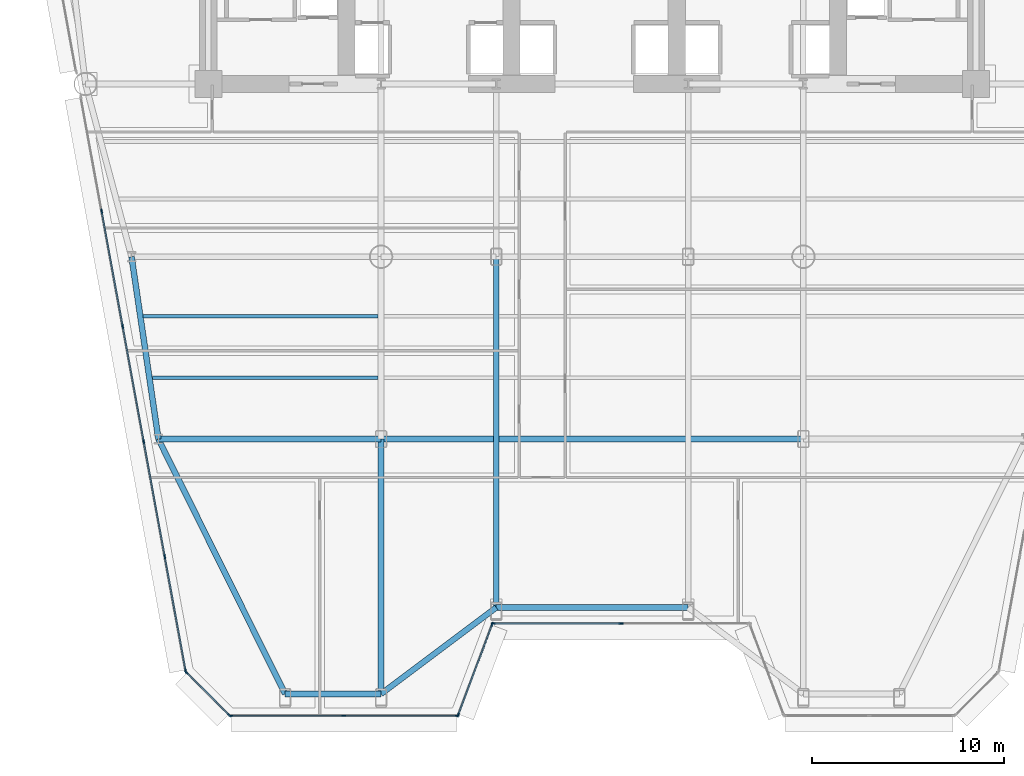
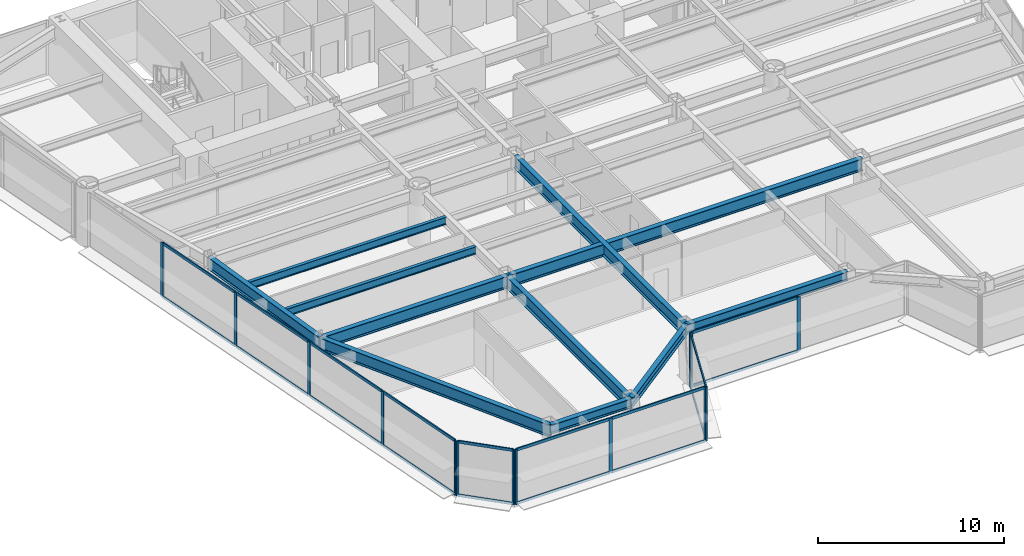
# One storey, part 2 of 14: 32 members, 11 beams, 5 elements without a shape of their own.
"""IFC4 building model written with IfcOpenShell, lengths in metres."""

from ifc_helpers import new_model, si_unit, direction, frame, origin, origin_2d, place, context, subcontext, project, spatial, rectangle, i_section, extrude, source, transform, mapped, material, layer, layer_set, material_profile, profile_set, type_object, element, aggregate, save


model = new_model("IFC4")

# Units and contexts
model_context = context("Model", 3, precision=1e-05, world=origin(), true_north=direction((0.0, 1.0)))
body_context = subcontext(model_context, "Body", "Model", "MODEL_VIEW")
ifc_project = project(units=[si_unit("LENGTHUNIT", "METRE"), si_unit("AREAUNIT", "SQUARE_METRE"), si_unit("VOLUMEUNIT", "CUBIC_METRE"), si_unit("PLANEANGLEUNIT", "RADIAN"), si_unit("MASSUNIT", "GRAM", prefix="KILO")], contexts=[model_context])

# Site, building, storey
site_placement = place(None, origin())
site = spatial("IfcSite", under=ifc_project, at=site_placement, CompositionType="ELEMENT")
building_placement = place(site_placement, origin())
building = spatial("IfcBuilding", under=site, at=building_placement, Name="Vaeldorn Concourse Tower", CompositionType="ELEMENT")
storey_placement = place(building_placement, frame((0.0, 0.0, 75.800048828125)))
storey = spatial("IfcBuildingStorey", under=building, at=storey_placement, Name="L19", CompositionType="ELEMENT", Elevation=75.800048828125)

# Beams
ifc_material_1 = material(Name="Steel S355", Category="steel")
ifc_material_profile_1 = material_profile(ifc_material_1, i_section(OverallWidth=0.300048828125, OverallDepth=0.60009765625, WebThickness=0.015380859375, FlangeThickness=0.030029296875, FilletRadius=0.027099609375, at=origin_2d()), Name="HEB 600")
ifc_profile_set_1 = profile_set([ifc_material_profile_1], Name="Steel S355")
beam_type_1 = type_object("IfcBeamType", Name="BM-SP-HEB600", PredefinedType="SPANDREL", material=ifc_profile_set_1)
shared_shape_1 = source(origin(), body_context, "Body", "SweptSolid", [
    extrude(i_section(OverallWidth=0.300048828125, OverallDepth=0.60009765625, WebThickness=0.015380859375, FlangeThickness=0.030029296875, FilletRadius=0.027099609375, at=origin_2d()), origin(), (0.0, 0.0, 1.0), 5.0),
])
beam_1_placement = place(storey_placement, frame((18.0, 4.72509765625, 3.280029296875), z_axis=(1.0, 0.0, 0.0), x_axis=(0.0, 1.0, 0.0)))
element("IfcBeam", 1, at=beam_1_placement, inside=storey, type_object=beam_type_1, Name="Beam BM-L19-C-SF1-C-SF2", PredefinedType="SPANDREL", context=body_context, shape_type="MappedRepresentation", body=[
    mapped(shared_shape_1, transform((0.0, 0.0, 0.0), scale=1.0)),
])
shared_shape_2 = source(origin(), body_context, "Body", "SweptSolid", [
    extrude(i_section(OverallWidth=0.300048828125, OverallDepth=0.60009765625, WebThickness=0.015380859375, FlangeThickness=0.030029296875, FilletRadius=0.027099609375, at=origin_2d()), origin(), (0.0, 0.0, 1.0), 7.5),
])
beam_2_placement = place(storey_placement, frame((23.0, 4.72509765625, 3.280029296875), z_axis=(0.8, 0.6, 0.0), x_axis=(-0.6, 0.8, 0.0)))
element("IfcBeam", 2, at=beam_2_placement, inside=storey, type_object=beam_type_1, Name="Beam BM-L19-C-SF2-C-SF3", PredefinedType="SPANDREL", context=body_context, shape_type="MappedRepresentation", body=[
    mapped(shared_shape_2, transform((0.0, 0.0, 0.0), scale=1.0)),
])
shared_shape_3 = source(origin(), body_context, "Body", "SweptSolid", [
    extrude(i_section(OverallWidth=0.300048828125, OverallDepth=0.60009765625, WebThickness=0.015380859375, FlangeThickness=0.030029296875, FilletRadius=0.027099609375, at=origin_2d()), origin(), (0.0, 0.0, 1.0), 10.0),
])
beam_3_placement = place(storey_placement, frame((29.0, 9.22509765625, 3.280029296875), z_axis=(1.0, 0.0, 0.0), x_axis=(0.0, 1.0, 0.0)))
element("IfcBeam", 3, at=beam_3_placement, inside=storey, type_object=beam_type_1, Name="Beam BM-L19-C-SF3-C-SF4", PredefinedType="SPANDREL", context=body_context, shape_type="MappedRepresentation", body=[
    mapped(shared_shape_3, transform((0.0, 0.0, 0.0), scale=1.0)),
])
ifc_material_profile_2 = material_profile(ifc_material_1, i_section(OverallWidth=0.300048828125, OverallDepth=0.800048828125, WebThickness=0.017578125, FlangeThickness=0.032958984375, FilletRadius=0.030029296875, at=origin_2d()), Name="HEB 800")
ifc_profile_set_2 = profile_set([ifc_material_profile_2], Name="Steel S355")
beam_type_2 = type_object("IfcBeamType", Name="BM-PG-HEB800", PredefinedType="BEAM", material=ifc_profile_set_2)
shared_shape_4 = source(origin(), body_context, "Body", "SweptSolid", [
    extrude(i_section(OverallWidth=0.300048828125, OverallDepth=0.800048828125, WebThickness=0.017578125, FlangeThickness=0.032958984375, FilletRadius=0.030029296875, at=origin_2d()), origin(), (0.0, 0.0, 1.0), 9.6025390625),
])
beam_4_placement = place(storey_placement, frame((10.0, 27.5, 3.179931640625), z_axis=(0.145783835977, -0.989316467652, 0.0), x_axis=(0.989316467652, 0.145783835977, 0.0)))
element("IfcBeam", 4, at=beam_4_placement, inside=storey, type_object=beam_type_2, Name="Beam BM-L19-C-FLW1-C-FLW2", PredefinedType="BEAM", context=body_context, shape_type="MappedRepresentation", body=[
    mapped(shared_shape_4, transform((0.0, 0.0, 0.0), scale=1.0)),
])
shared_shape_5 = source(origin(), body_context, "Body", "SweptSolid", [
    extrude(i_section(OverallWidth=0.300048828125, OverallDepth=0.800048828125, WebThickness=0.017578125, FlangeThickness=0.032958984375, FilletRadius=0.030029296875, at=origin_2d()), origin(), (0.0, 0.0, 1.0), 11.60009765625),
])
beam_5_placement = place(storey_placement, frame((11.39990234375, 18.0, 3.179931640625), z_axis=(1.0, 0.0, 0.0), x_axis=(0.0, 1.0, 0.0)))
element("IfcBeam", 5, at=beam_5_placement, inside=storey, type_object=beam_type_2, Name="Beam BM-L19-C-FLW2-C-TW5", PredefinedType="BEAM", context=body_context, shape_type="MappedRepresentation", body=[
    mapped(shared_shape_5, transform((0.0, 0.0, 0.0), scale=1.0)),
])
shared_shape_6 = source(origin(), body_context, "Body", "SweptSolid", [
    extrude(i_section(OverallWidth=0.300048828125, OverallDepth=0.800048828125, WebThickness=0.017578125, FlangeThickness=0.032958984375, FilletRadius=0.030029296875, at=origin_2d()), origin(), (0.0, 0.0, 1.0), 22.0),
])
beam_6_placement = place(storey_placement, frame((23.0, 18.0, 3.179931640625), z_axis=(1.0, 0.0, 0.0), x_axis=(0.0, 1.0, 0.0)))
element("IfcBeam", 6, at=beam_6_placement, inside=storey, type_object=beam_type_2, Name="Beam BM-L19-C-TW5-C-TW6", PredefinedType="BEAM", context=body_context, shape_type="MappedRepresentation", body=[
    mapped(shared_shape_6, transform((0.0, 0.0, 0.0), scale=1.0)),
])
shared_shape_7 = source(origin(), body_context, "Body", "SweptSolid", [
    extrude(i_section(OverallWidth=0.300048828125, OverallDepth=0.800048828125, WebThickness=0.017578125, FlangeThickness=0.032958984375, FilletRadius=0.030029296875, at=origin_2d()), origin(), (0.0, 0.0, 1.0), 14.8251953125),
])
beam_7_placement = place(storey_placement, frame((18.0, 4.72509765625, 3.179931640625), z_axis=(-0.44519677276, 0.895432763263, 0.0), x_axis=(-0.895432763263, -0.44519677276, 0.0)))
element("IfcBeam", 7, at=beam_7_placement, inside=storey, type_object=beam_type_2, Name="Beam BM-L19-C-SF1-C-FLW2", PredefinedType="BEAM", context=body_context, shape_type="MappedRepresentation", body=[
    mapped(shared_shape_7, transform((0.0, 0.0, 0.0), scale=1.0)),
])
shared_shape_8 = source(origin(), body_context, "Body", "SweptSolid", [
    extrude(i_section(OverallWidth=0.300048828125, OverallDepth=0.800048828125, WebThickness=0.017578125, FlangeThickness=0.032958984375, FilletRadius=0.030029296875, at=origin_2d()), origin(), (0.0, 0.0, 1.0), 13.27490234375),
])
beam_8_placement = place(storey_placement, frame((23.0, 4.72509765625, 3.179931640625), z_axis=(0.0, 1.0, 0.0), x_axis=(-1.0, 0.0, 0.0)))
element("IfcBeam", 8, at=beam_8_placement, inside=storey, type_object=beam_type_2, Name="Beam BM-L19-C-SF2-C-TW5", PredefinedType="BEAM", context=body_context, shape_type="MappedRepresentation", body=[
    mapped(shared_shape_8, transform((0.0, 0.0, 0.0), scale=1.0)),
])
shared_shape_9 = source(origin(), body_context, "Body", "SweptSolid", [
    extrude(i_section(OverallWidth=0.300048828125, OverallDepth=0.800048828125, WebThickness=0.017578125, FlangeThickness=0.032958984375, FilletRadius=0.030029296875, at=origin_2d()), origin(), (0.0, 0.0, 1.0), 18.27490234375),
])
beam_9_placement = place(storey_placement, frame((29.0, 9.22509765625, 3.179931640625), z_axis=(0.0, 1.0, 0.0), x_axis=(-1.0, 0.0, 0.0)))
element("IfcBeam", 9, at=beam_9_placement, inside=storey, type_object=beam_type_2, Name="Beam BM-L19-C-SF3-C-TW2", PredefinedType="BEAM", context=body_context, shape_type="MappedRepresentation", body=[
    mapped(shared_shape_9, transform((0.0, 0.0, 0.0), scale=1.0)),
])
ifc_material_profile_3 = material_profile(ifc_material_1, i_section(OverallWidth=0.199951171875, OverallDepth=0.5, WebThickness=0.01025390625, FlangeThickness=0.01611328125, FilletRadius=0.02099609375, at=origin_2d()), Name="IPE 500")
ifc_profile_set_3 = profile_set([ifc_material_profile_3], Name="Steel S355")
beam_type_3 = type_object("IfcBeamType", Name="BM-JS-IPE500", PredefinedType="JOIST", material=ifc_profile_set_3)
shared_shape_10 = source(origin(), body_context, "Body", "SweptSolid", [
    extrude(i_section(OverallWidth=0.199951171875, OverallDepth=0.5, WebThickness=0.01025390625, FlangeThickness=0.01611328125, FilletRadius=0.02099609375, at=origin_2d()), origin(), (0.0, 0.0, 1.0), 11.771728515625),
])
beam_10_placement = place(storey_placement, frame((11.078369140625, 21.199951171875, 3.329833984375), z_axis=(1.0, 0.0, 0.0), x_axis=(0.0, 1.0, 0.0)))
element("IfcBeam", 10, at=beam_10_placement, inside=storey, type_object=beam_type_3, Name="Beam JS-L19-W1-212", PredefinedType="JOIST", context=body_context, shape_type="MappedRepresentation", body=[
    mapped(shared_shape_10, transform((0.0, 0.0, 0.0), scale=1.0)),
])
shared_shape_11 = source(origin(), body_context, "Body", "SweptSolid", [
    extrude(i_section(OverallWidth=0.199951171875, OverallDepth=0.5, WebThickness=0.01025390625, FlangeThickness=0.01611328125, FilletRadius=0.02099609375, at=origin_2d()), origin(), (0.0, 0.0, 1.0), 12.243408203125),
])
beam_11_placement = place(storey_placement, frame((10.606689453125, 24.39990234375, 3.329833984375), z_axis=(1.0, 0.0, 0.0), x_axis=(0.0, 1.0, 0.0)))
element("IfcBeam", 11, at=beam_11_placement, inside=storey, type_object=beam_type_3, Name="Beam JS-L19-W1-244", PredefinedType="JOIST", context=body_context, shape_type="MappedRepresentation", body=[
    mapped(shared_shape_11, transform((0.0, 0.0, 0.0), scale=1.0)),
])

# Curtain wall, members
ifc_material_2 = material(Name="Anodised Bronze Aluminium", Category="aluminium")
ifc_layer = layer(ifc_material_2, 0.219970703125)
ifc_layer_set = layer_set([ifc_layer], Name="Anodised Bronze Aluminium")
curtain_wall_type = type_object("IfcCurtainWallType", Name="CW-SYS-01", PredefinedType="NOTDEFINED", material=ifc_layer_set)
curtain_wall_1_placement = place(storey_placement, origin())
curtain_wall_1 = element("IfcCurtainWall", 12, at=curtain_wall_1_placement, inside=storey, type_object=curtain_wall_type, Name="Unitised Curtain Wall CW-L19-E01-1", PredefinedType="NOTDEFINED")
ifc_material_profile_4 = material_profile(ifc_material_2, rectangle(XDim=0.074951171875, YDim=0.219970703125, at=origin_2d()), Name="CWM 75x220")
ifc_profile_set_4 = profile_set([ifc_material_profile_4], Name="Anodised Bronze Aluminium")
member_type_1 = type_object("IfcMemberType", Name="CWM-BRONZE-220", PredefinedType="MULLION", material=ifc_profile_set_4)
shared_shape_12 = source(origin(), body_context, "Body", "SweptSolid", [
    extrude(rectangle(XDim=0.074951171875, YDim=0.219970703125, at=origin_2d()), origin(), (0.0, 0.0, 1.0), 3.579833984375),
])
member_1_placement = place(storey_placement, frame((15.160888671875, 3.586181640625, 0.0), z_axis=(0.0, 0.0, 1.0), x_axis=(0.0, 1.0, 0.0)))
member_1 = element("IfcMember", 13, at=member_1_placement, type_object=member_type_1, Name="CW-01 mullion 1", PredefinedType="MULLION", context=body_context, shape_type="MappedRepresentation", body=[
    mapped(shared_shape_12, transform((0.0, 0.0, 0.0), scale=1.0)),
])
member_2_placement = place(storey_placement, frame((21.061767578125, 3.586181640625, 0.0), z_axis=(0.0, 0.0, 1.0), x_axis=(0.0, 1.0, 0.0)))
member_2 = element("IfcMember", 14, at=member_2_placement, type_object=member_type_1, Name="CW-01 mullion 2", PredefinedType="MULLION", context=body_context, shape_type="MappedRepresentation", body=[
    mapped(shared_shape_12, transform((0.0, 0.0, 0.0), scale=1.0)),
])
member_3_placement = place(storey_placement, frame((26.96240234375, 3.586181640625, 0.0), z_axis=(0.0, 0.0, 1.0), x_axis=(0.0, 1.0, 0.0)))
member_3 = element("IfcMember", 15, at=member_3_placement, type_object=member_type_1, Name="CW-01 mullion 3", PredefinedType="MULLION", context=body_context, shape_type="MappedRepresentation", body=[
    mapped(shared_shape_12, transform((0.0, 0.0, 0.0), scale=1.0)),
])

curtain_wall_2_placement = place(storey_placement, origin())
curtain_wall_2 = element("IfcCurtainWall", 16, at=curtain_wall_2_placement, inside=storey, type_object=curtain_wall_type, Name="Unitised Curtain Wall CW-L19-E02-1", PredefinedType="NOTDEFINED")
member_4_placement = place(storey_placement, frame((27.01318359375, 3.62109375, 0.0), z_axis=(0.0, 0.0, 1.0), x_axis=(-0.936329177566, 0.351123441595, 0.0)))
member_4 = element("IfcMember", 17, at=member_4_placement, type_object=member_type_1, Name="CW-01 mullion 1", PredefinedType="MULLION", context=body_context, shape_type="MappedRepresentation", body=[
    mapped(shared_shape_12, transform((0.0, 0.0, 0.0), scale=1.0)),
])
member_5_placement = place(storey_placement, frame((28.786865234375, 8.35107421875, 0.0), z_axis=(0.0, 0.0, 1.0), x_axis=(-0.936329177566, 0.351123441595, 0.0)))
member_5 = element("IfcMember", 18, at=member_5_placement, type_object=member_type_1, Name="CW-01 mullion 2", PredefinedType="MULLION", context=body_context, shape_type="MappedRepresentation", body=[
    mapped(shared_shape_12, transform((0.0, 0.0, 0.0), scale=1.0)),
])

curtain_wall_3_placement = place(storey_placement, origin())
curtain_wall_3 = element("IfcCurtainWall", 19, at=curtain_wall_3_placement, inside=storey, type_object=curtain_wall_type, Name="Unitised Curtain Wall CW-L19-E03-1", PredefinedType="NOTDEFINED")
member_6_placement = place(storey_placement, frame((28.83740234375, 8.385986328125, 0.0), z_axis=(0.0, 0.0, 1.0), x_axis=(0.0, 1.0, 0.0)))
member_6 = element("IfcMember", 20, at=member_6_placement, type_object=member_type_1, Name="CW-01 mullion 1", PredefinedType="MULLION", context=body_context, shape_type="MappedRepresentation", body=[
    mapped(shared_shape_12, transform((0.0, 0.0, 0.0), scale=1.0)),
])
member_7_placement = place(storey_placement, frame((35.5, 8.385986328125, 0.0), z_axis=(0.0, 0.0, 1.0), x_axis=(0.0, 1.0, 0.0)))
member_7 = element("IfcMember", 21, at=member_7_placement, type_object=member_type_1, Name="CW-01 mullion 2", PredefinedType="MULLION", context=body_context, shape_type="MappedRepresentation", body=[
    mapped(shared_shape_12, transform((0.0, 0.0, 0.0), scale=1.0)),
])

curtain_wall_4_placement = place(storey_placement, origin())
curtain_wall_4 = element("IfcCurtainWall", 22, at=curtain_wall_4_placement, inside=storey, type_object=curtain_wall_type, Name="Unitised Curtain Wall CW-L19-E11-2", PredefinedType="NOTDEFINED")
member_8_placement = place(storey_placement, frame((8.438720703125, 29.881591796875, 0.0), z_axis=(0.0, 0.0, 1.0), x_axis=(0.983712105804, 0.179751197201, 0.0)))
member_8 = element("IfcMember", 23, at=member_8_placement, type_object=member_type_1, Name="CW-01 mullion 2", PredefinedType="MULLION", context=body_context, shape_type="MappedRepresentation", body=[
    mapped(shared_shape_12, transform((0.0, 0.0, 0.0), scale=1.0)),
])
member_9_placement = place(storey_placement, frame((9.534912109375, 23.8828125, 0.0), z_axis=(0.0, 0.0, 1.0), x_axis=(0.983712105804, 0.179751197201, 0.0)))
member_9 = element("IfcMember", 24, at=member_9_placement, type_object=member_type_1, Name="CW-01 mullion 3", PredefinedType="MULLION", context=body_context, shape_type="MappedRepresentation", body=[
    mapped(shared_shape_12, transform((0.0, 0.0, 0.0), scale=1.0)),
])
member_10_placement = place(storey_placement, frame((10.630859375, 17.8837890625, 0.0), z_axis=(0.0, 0.0, 1.0), x_axis=(0.983712105804, 0.179751197201, 0.0)))
member_10 = element("IfcMember", 25, at=member_10_placement, type_object=member_type_1, Name="CW-01 mullion 4", PredefinedType="MULLION", context=body_context, shape_type="MappedRepresentation", body=[
    mapped(shared_shape_12, transform((0.0, 0.0, 0.0), scale=1.0)),
])
member_11_placement = place(storey_placement, frame((11.72705078125, 11.885009765625, 0.0), z_axis=(0.0, 0.0, 1.0), x_axis=(0.983712105804, 0.179751197201, 0.0)))
member_11 = element("IfcMember", 26, at=member_11_placement, type_object=member_type_1, Name="CW-01 mullion 5", PredefinedType="MULLION", context=body_context, shape_type="MappedRepresentation", body=[
    mapped(shared_shape_12, transform((0.0, 0.0, 0.0), scale=1.0)),
])
member_12_placement = place(storey_placement, frame((12.816650390625, 5.923095703125, 0.0), z_axis=(0.0, 0.0, 1.0), x_axis=(0.983712105804, 0.179751197201, 0.0)))
member_12 = element("IfcMember", 27, at=member_12_placement, type_object=member_type_1, Name="CW-01 mullion 6", PredefinedType="MULLION", context=body_context, shape_type="MappedRepresentation", body=[
    mapped(shared_shape_12, transform((0.0, 0.0, 0.0), scale=1.0)),
])

curtain_wall_5_placement = place(storey_placement, origin())
curtain_wall_5 = element("IfcCurtainWall", 28, at=curtain_wall_5_placement, inside=storey, type_object=curtain_wall_type, Name="Unitised Curtain Wall CW-L19-E12-1", PredefinedType="NOTDEFINED")
member_13_placement = place(storey_placement, frame((12.849853515625, 5.859619140625, 0.0), z_axis=(0.0, 0.0, 1.0), x_axis=(0.707106781187, 0.707106781187, 0.0)))
member_13 = element("IfcMember", 29, at=member_13_placement, type_object=member_type_1, Name="CW-01 mullion 1", PredefinedType="MULLION", context=body_context, shape_type="MappedRepresentation", body=[
    mapped(shared_shape_12, transform((0.0, 0.0, 0.0), scale=1.0)),
])
member_14_placement = place(storey_placement, frame((15.0966796875, 3.612548828125, 0.0), z_axis=(0.0, 0.0, 1.0), x_axis=(0.707106781187, 0.707106781187, 0.0)))
member_14 = element("IfcMember", 30, at=member_14_placement, type_object=member_type_1, Name="CW-01 mullion 2", PredefinedType="MULLION", context=body_context, shape_type="MappedRepresentation", body=[
    mapped(shared_shape_12, transform((0.0, 0.0, 0.0), scale=1.0)),
])

# Member
ifc_material_profile_5 = material_profile(ifc_material_2, rectangle(XDim=0.074951171875, YDim=0.179931640625, at=origin_2d()), Name="CWT 75x180")
ifc_profile_set_5 = profile_set([ifc_material_profile_5], Name="Anodised Bronze Aluminium")
member_type_2 = type_object("IfcMemberType", Name="CWT-BRONZE-180", PredefinedType="USERDEFINED", material=ifc_profile_set_5)
shared_shape_13 = source(origin(), body_context, "Body", "SweptSolid", [
    extrude(rectangle(XDim=0.074951171875, YDim=0.179931640625, at=origin_2d()), origin(), (0.0, 0.0, 1.0), 6.58740234375),
])
member_15_placement = place(storey_placement, frame((28.875, 8.385986328125, 0.037353515625), z_axis=(1.0, 0.0, 0.0), x_axis=(0.0, 1.0, 0.0)))
member_15 = element("IfcMember", 31, at=member_15_placement, type_object=member_type_2, Name="CW-01 transom 1.1", ObjectType="TRANSOM", PredefinedType="USERDEFINED", context=body_context, shape_type="MappedRepresentation", body=[
    mapped(shared_shape_13, transform((0.0, 0.0, 0.0), scale=1.0)),
])

member_16_placement = place(storey_placement, frame((28.875, 8.385986328125, 3.54248046875), z_axis=(1.0, 0.0, 0.0), x_axis=(0.0, 1.0, 0.0)))
member_16 = element("IfcMember", 32, at=member_16_placement, type_object=member_type_2, Name="CW-01 transom 1.2", ObjectType="TRANSOM", PredefinedType="USERDEFINED", context=body_context, shape_type="MappedRepresentation", body=[
    mapped(shared_shape_13, transform((0.0, 0.0, 0.0), scale=1.0)),
])

aggregate(curtain_wall_3, [member_6, member_7, member_15, member_16])

shared_shape_14 = source(origin(), body_context, "Body", "SweptSolid", [
    extrude(rectangle(XDim=0.074951171875, YDim=0.179931640625, at=origin_2d()), origin(), (0.0, 0.0, 1.0), 3.102783203125),
])
member_17_placement = place(storey_placement, frame((12.876220703125, 5.8330078125, 0.037353515625), z_axis=(0.707146122816, -0.707067437368, 0.0), x_axis=(0.707067437368, 0.707146122816, 0.0)))
member_17 = element("IfcMember", 33, at=member_17_placement, type_object=member_type_2, Name="CW-01 transom 1.1", ObjectType="TRANSOM", PredefinedType="USERDEFINED", context=body_context, shape_type="MappedRepresentation", body=[
    mapped(shared_shape_14, transform((0.0, 0.0, 0.0), scale=1.0)),
])

member_18_placement = place(storey_placement, frame((12.876220703125, 5.8330078125, 3.54248046875), z_axis=(0.707146122816, -0.707067437368, 0.0), x_axis=(0.707067437368, 0.707146122816, 0.0)))
member_18 = element("IfcMember", 34, at=member_18_placement, type_object=member_type_2, Name="CW-01 transom 1.2", ObjectType="TRANSOM", PredefinedType="USERDEFINED", context=body_context, shape_type="MappedRepresentation", body=[
    mapped(shared_shape_14, transform((0.0, 0.0, 0.0), scale=1.0)),
])

aggregate(curtain_wall_5, [member_13, member_14, member_17, member_18])

shared_shape_15 = source(origin(), body_context, "Body", "SweptSolid", [
    extrude(rectangle(XDim=0.074951171875, YDim=0.179931640625, at=origin_2d()), origin(), (0.0, 0.0, 1.0), 4.9765625),
])
member_19_placement = place(storey_placement, frame((27.0263671875, 3.65625, 0.037353515625), z_axis=(0.351112688987, 0.936333209724, 0.0), x_axis=(-0.936333209724, 0.351112688987, 0.0)))
member_19 = element("IfcMember", 35, at=member_19_placement, type_object=member_type_2, Name="CW-01 transom 1.1", ObjectType="TRANSOM", PredefinedType="USERDEFINED", context=body_context, shape_type="MappedRepresentation", body=[
    mapped(shared_shape_15, transform((0.0, 0.0, 0.0), scale=1.0)),
])

member_20_placement = place(storey_placement, frame((27.0263671875, 3.65625, 3.54248046875), z_axis=(0.351112688987, 0.936333209724, 0.0), x_axis=(-0.936333209724, 0.351112688987, 0.0)))
member_20 = element("IfcMember", 36, at=member_20_placement, type_object=member_type_2, Name="CW-01 transom 1.2", ObjectType="TRANSOM", PredefinedType="USERDEFINED", context=body_context, shape_type="MappedRepresentation", body=[
    mapped(shared_shape_15, transform((0.0, 0.0, 0.0), scale=1.0)),
])

aggregate(curtain_wall_2, [member_4, member_5, member_19, member_20])

shared_shape_16 = source(origin(), body_context, "Body", "SweptSolid", [
    extrude(rectangle(XDim=0.074951171875, YDim=0.179931640625, at=origin_2d()), origin(), (0.0, 0.0, 1.0), 5.825927734375),
])
member_21_placement = place(storey_placement, frame((15.1982421875, 3.586181640625, 0.037353515625), z_axis=(1.0, 0.0, 0.0), x_axis=(0.0, 1.0, 0.0)))
member_21 = element("IfcMember", 37, at=member_21_placement, type_object=member_type_2, Name="CW-01 transom 1.1", ObjectType="TRANSOM", PredefinedType="USERDEFINED", context=body_context, shape_type="MappedRepresentation", body=[
    mapped(shared_shape_16, transform((0.0, 0.0, 0.0), scale=1.0)),
])

member_22_placement = place(storey_placement, frame((15.1982421875, 3.586181640625, 3.54248046875), z_axis=(1.0, 0.0, 0.0), x_axis=(0.0, 1.0, 0.0)))
member_22 = element("IfcMember", 38, at=member_22_placement, type_object=member_type_2, Name="CW-01 transom 1.2", ObjectType="TRANSOM", PredefinedType="USERDEFINED", context=body_context, shape_type="MappedRepresentation", body=[
    mapped(shared_shape_16, transform((0.0, 0.0, 0.0), scale=1.0)),
])

member_23_placement = place(storey_placement, frame((21.09912109375, 3.586181640625, 0.037353515625), z_axis=(1.0, 0.0, 0.0), x_axis=(0.0, 1.0, 0.0)))
member_23 = element("IfcMember", 39, at=member_23_placement, type_object=member_type_2, Name="CW-01 transom 2.1", ObjectType="TRANSOM", PredefinedType="USERDEFINED", context=body_context, shape_type="MappedRepresentation", body=[
    mapped(shared_shape_16, transform((0.0, 0.0, 0.0), scale=1.0)),
])

member_24_placement = place(storey_placement, frame((21.09912109375, 3.586181640625, 3.54248046875), z_axis=(1.0, 0.0, 0.0), x_axis=(0.0, 1.0, 0.0)))
member_24 = element("IfcMember", 40, at=member_24_placement, type_object=member_type_2, Name="CW-01 transom 2.2", ObjectType="TRANSOM", PredefinedType="USERDEFINED", context=body_context, shape_type="MappedRepresentation", body=[
    mapped(shared_shape_16, transform((0.0, 0.0, 0.0), scale=1.0)),
])

aggregate(curtain_wall_1, [member_1, member_2, member_3, member_21, member_22, member_23, member_24])

shared_shape_17 = source(origin(), body_context, "Body", "SweptSolid", [
    extrude(rectangle(XDim=0.074951171875, YDim=0.179931640625, at=origin_2d()), origin(), (0.0, 0.0, 1.0), 5.985595703125),
])
member_25_placement = place(storey_placement, frame((11.73388671875, 11.84814453125, 0.037353515625), z_axis=(0.17975038977, -0.983712253343, 0.0), x_axis=(0.983712253343, 0.17975038977, 0.0)))
member_25 = element("IfcMember", 41, at=member_25_placement, type_object=member_type_2, Name="CW-01 transom 5.1", ObjectType="TRANSOM", PredefinedType="USERDEFINED", context=body_context, shape_type="MappedRepresentation", body=[
    mapped(shared_shape_17, transform((0.0, 0.0, 0.0), scale=1.0)),
])

member_26_placement = place(storey_placement, frame((11.73388671875, 11.84814453125, 3.54248046875), z_axis=(0.17975038977, -0.983712253343, 0.0), x_axis=(0.983712253343, 0.17975038977, 0.0)))
member_26 = element("IfcMember", 42, at=member_26_placement, type_object=member_type_2, Name="CW-01 transom 5.2", ObjectType="TRANSOM", PredefinedType="USERDEFINED", context=body_context, shape_type="MappedRepresentation", body=[
    mapped(shared_shape_17, transform((0.0, 0.0, 0.0), scale=1.0)),
])

shared_shape_18 = source(origin(), body_context, "Body", "SweptSolid", [
    extrude(rectangle(XDim=0.074951171875, YDim=0.179931640625, at=origin_2d()), origin(), (0.0, 0.0, 1.0), 6.023193359375),
])
member_27_placement = place(storey_placement, frame((8.4453125, 29.8447265625, 0.037353515625), z_axis=(0.179766404259, -0.983709326935, 0.0), x_axis=(0.983709326935, 0.179766404259, 0.0)))
member_27 = element("IfcMember", 43, at=member_27_placement, type_object=member_type_2, Name="CW-01 transom 2.1", ObjectType="TRANSOM", PredefinedType="USERDEFINED", context=body_context, shape_type="MappedRepresentation", body=[
    mapped(shared_shape_18, transform((0.0, 0.0, 0.0), scale=1.0)),
])

member_28_placement = place(storey_placement, frame((8.4453125, 29.8447265625, 3.54248046875), z_axis=(0.179766404259, -0.983709326935, 0.0), x_axis=(0.983709326935, 0.179766404259, 0.0)))
member_28 = element("IfcMember", 44, at=member_28_placement, type_object=member_type_2, Name="CW-01 transom 2.2", ObjectType="TRANSOM", PredefinedType="USERDEFINED", context=body_context, shape_type="MappedRepresentation", body=[
    mapped(shared_shape_18, transform((0.0, 0.0, 0.0), scale=1.0)),
])

member_29_placement = place(storey_placement, frame((10.6376953125, 17.846923828125, 0.037353515625), z_axis=(0.179766404259, -0.983709326935, 0.0), x_axis=(0.983709326935, 0.179766404259, 0.0)))
member_29 = element("IfcMember", 45, at=member_29_placement, type_object=member_type_2, Name="CW-01 transom 4.1", ObjectType="TRANSOM", PredefinedType="USERDEFINED", context=body_context, shape_type="MappedRepresentation", body=[
    mapped(shared_shape_18, transform((0.0, 0.0, 0.0), scale=1.0)),
])

member_30_placement = place(storey_placement, frame((10.6376953125, 17.846923828125, 3.54248046875), z_axis=(0.179766404259, -0.983709326935, 0.0), x_axis=(0.983709326935, 0.179766404259, 0.0)))
member_30 = element("IfcMember", 46, at=member_30_placement, type_object=member_type_2, Name="CW-01 transom 4.2", ObjectType="TRANSOM", PredefinedType="USERDEFINED", context=body_context, shape_type="MappedRepresentation", body=[
    mapped(shared_shape_18, transform((0.0, 0.0, 0.0), scale=1.0)),
])

shared_shape_19 = source(origin(), body_context, "Body", "SweptSolid", [
    extrude(rectangle(XDim=0.074951171875, YDim=0.179931640625, at=origin_2d()), origin(), (0.0, 0.0, 1.0), 6.0234375),
])
member_31_placement = place(storey_placement, frame((9.54150390625, 23.845947265625, 0.037353515625), z_axis=(0.179759236668, -0.983710636739, 0.0), x_axis=(0.983710636739, 0.179759236668, 0.0)))
member_31 = element("IfcMember", 47, at=member_31_placement, type_object=member_type_2, Name="CW-01 transom 3.1", ObjectType="TRANSOM", PredefinedType="USERDEFINED", context=body_context, shape_type="MappedRepresentation", body=[
    mapped(shared_shape_19, transform((0.0, 0.0, 0.0), scale=1.0)),
])

member_32_placement = place(storey_placement, frame((9.54150390625, 23.845947265625, 3.54248046875), z_axis=(0.179759236668, -0.983710636739, 0.0), x_axis=(0.983710636739, 0.179759236668, 0.0)))
member_32 = element("IfcMember", 48, at=member_32_placement, type_object=member_type_2, Name="CW-01 transom 3.2", ObjectType="TRANSOM", PredefinedType="USERDEFINED", context=body_context, shape_type="MappedRepresentation", body=[
    mapped(shared_shape_19, transform((0.0, 0.0, 0.0), scale=1.0)),
])

aggregate(curtain_wall_4, [member_8, member_9, member_10, member_11, member_12, member_27, member_28, member_31, member_32, member_29, member_30, member_25, member_26])

save(model, "model.ifc")
